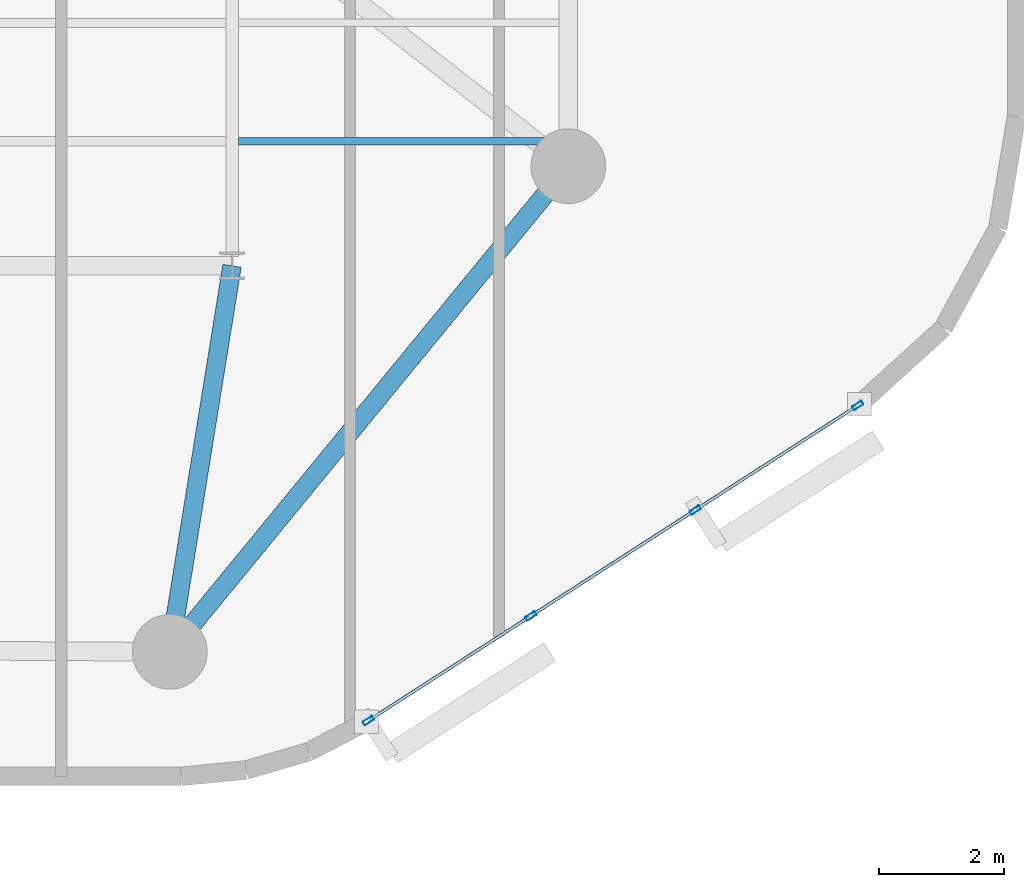
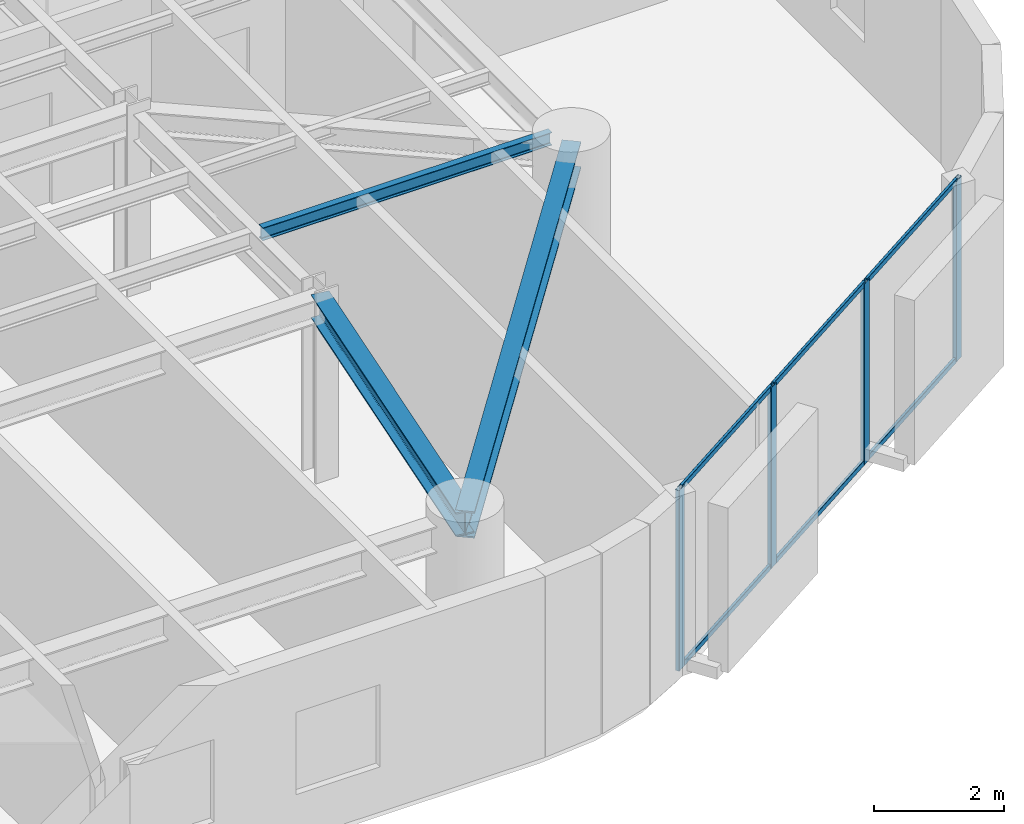
# One storey, part 2 of 13: 10 members, 3 beams, 1 element without a shape of its own.
"""IFC4 building model written with IfcOpenShell, lengths in metres."""

from ifc_helpers import new_model, si_unit, direction, frame, origin, origin_2d, place, context, subcontext, project, spatial, hollow_rectangle, i_section, extrude, material, layer, layer_set, material_profile, profile_set, type_object, element, aggregate, save


model = new_model("IFC4")

# Units and contexts
model_context = context("Model", 3, precision=1e-05, world=origin(), true_north=direction((0.0, 1.0)))
body_context = subcontext(model_context, "Body", "Model", "MODEL_VIEW")
ifc_project = project(units=[si_unit("LENGTHUNIT", "METRE"), si_unit("AREAUNIT", "SQUARE_METRE"), si_unit("VOLUMEUNIT", "CUBIC_METRE"), si_unit("PLANEANGLEUNIT", "RADIAN"), si_unit("MASSUNIT", "GRAM", prefix="KILO")], contexts=[model_context])

# Site, building, storey
site_placement = place(None, origin())
site = spatial("IfcSite", under=ifc_project, at=site_placement, CompositionType="ELEMENT")
building_placement = place(site_placement, origin())
building = spatial("IfcBuilding", under=site, at=building_placement, Name="An Khanh Terracotta Commons", CompositionType="ELEMENT")
storey_placement = place(building_placement, frame((0.0, 0.0, 183.39990234375)))
storey = spatial("IfcBuildingStorey", under=building, at=storey_placement, Name="L48", CompositionType="ELEMENT", Elevation=183.39990234375)

# Beams
ifc_material_1 = material(Name="Steel S355J2", Category="steel")
ifc_material_profile_1 = material_profile(ifc_material_1, i_section(OverallWidth=0.300048828125, OverallDepth=0.449951171875, WebThickness=0.013916015625, FlangeThickness=0.02587890625, FilletRadius=0.027099609375, at=origin_2d()), Name="HEB450")
ifc_profile_set_1 = profile_set([ifc_material_profile_1], Name="Steel S355J2")
beam_type_1 = type_object("IfcBeamType", Name="BM-HEB450", PredefinedType="BEAM", material=ifc_profile_set_1)
beam_1_placement = place(storey_placement, frame((49.39990234375, 8.199951171875, 3.175048828125), z_axis=(0.159233661074, 0.987240923575, 0.0), x_axis=(-0.987240923575, 0.159233661074, 0.0)))
element("IfcBeam", 1, at=beam_1_placement, inside=storey, type_object=beam_type_1, Name="L48 Mega-Column Tie Girder 2", PredefinedType="BEAM", context=body_context, shape_type="SweptSolid", body=[
    extrude(i_section(OverallWidth=0.300048828125, OverallDepth=0.449951171875, WebThickness=0.013916015625, FlangeThickness=0.02587890625, FilletRadius=0.027099609375, at=origin_2d()), origin(), (0.0, 0.0, 1.0), 6.280029296875),
])
ifc_material_profile_2 = material_profile(ifc_material_1, i_section(OverallWidth=0.300048828125, OverallDepth=0.5, WebThickness=0.014404296875, FlangeThickness=0.028076171875, FilletRadius=0.027099609375, at=origin_2d()), Name="HEB500")
ifc_profile_set_2 = profile_set([ifc_material_profile_2], Name="Steel S355J2")
beam_type_2 = type_object("IfcBeamType", Name="BM-HEB500", PredefinedType="BEAM", material=ifc_profile_set_2)
beam_2_placement = place(storey_placement, frame((49.39990234375, 8.199951171875, 3.150146484375), z_axis=(0.634322915223, 0.7730681983, 0.0), x_axis=(-0.7730681983, 0.634322915223, 0.0)))
element("IfcBeam", 2, at=beam_2_placement, inside=storey, type_object=beam_type_2, Name="L48 Perimeter Ring Spandrel 2", PredefinedType="BEAM", context=body_context, shape_type="SweptSolid", body=[
    extrude(i_section(OverallWidth=0.300048828125, OverallDepth=0.5, WebThickness=0.014404296875, FlangeThickness=0.028076171875, FilletRadius=0.027099609375, at=origin_2d()), origin(), (0.0, 0.0, 1.0), 10.08984375),
])
ifc_material_profile_3 = material_profile(ifc_material_1, i_section(OverallWidth=0.1201171875, OverallDepth=0.239990234375, WebThickness=0.006103515625, FlangeThickness=0.009765625, FilletRadius=0.014892578125, at=origin_2d()), Name="IPE240")
ifc_profile_set_3 = profile_set([ifc_material_profile_3], Name="Steel S355J2")
beam_type_3 = type_object("IfcBeamType", Name="BM-IPE240", PredefinedType="JOIST", material=ifc_profile_set_3)
beam_3_placement = place(storey_placement, frame((50.5, 16.39990234375, 3.280029296875), z_axis=(1.0, 0.0, 0.0), x_axis=(0.0, 1.0, 0.0)))
element("IfcBeam", 3, at=beam_3_placement, inside=storey, type_object=beam_type_3, Name="L48 Riverfront Composite Joist 1", PredefinedType="JOIST", context=body_context, shape_type="SweptSolid", body=[
    extrude(i_section(OverallWidth=0.1201171875, OverallDepth=0.239990234375, WebThickness=0.006103515625, FlangeThickness=0.009765625, FilletRadius=0.014892578125, at=origin_2d()), origin(), (0.0, 0.0, 1.0), 5.14990234375),
])

# Curtain wall, members
ifc_material_2 = material(Name="Anodised Aluminium 6063-T6", Category="aluminium")
ifc_layer = layer(ifc_material_2, 0.2099609375, Name="Anodised Aluminium 6063-T6")
ifc_layer_set = layer_set([ifc_layer], Name="Anodised Aluminium 6063-T6")
curtain_wall_type = type_object("IfcCurtainWallType", Name="CW-SYS-03", PredefinedType="USERDEFINED", material=ifc_layer_set)
curtain_wall_placement = place(storey_placement, origin())
curtain_wall = element("IfcCurtainWall", 4, at=curtain_wall_placement, inside=storey, type_object=curtain_wall_type, Name="L48 CW-03 Unitised Curtain Wall CW-L48-08", ObjectType="UNITISED CURTAIN WALL", PredefinedType="USERDEFINED")
ifc_material_profile_4 = material_profile(ifc_material_2, hollow_rectangle(XDim=0.070068359375, YDim=0.179931640625, WallThickness=0.00390625, InnerFilletRadius=0.00390625, OuterFilletRadius=0.008056640625, at=origin_2d()), Name="RHS180x70x4")
ifc_profile_set_4 = profile_set([ifc_material_profile_4], Name="Anodised Aluminium 6063-T6")
member_type_1 = type_object("IfcMemberType", Name="CWM-RHS180x70x4", PredefinedType="MULLION", material=ifc_profile_set_4)
member_1_placement = place(storey_placement, frame((52.58935546875, 7.094970703125, 0.0), z_axis=(0.0, 0.0, 1.0), x_axis=(-0.541497931062, 0.840702081986, 0.0)))
member_1 = element("IfcMember", 5, at=member_1_placement, type_object=member_type_1, Name="CW-03 mullion 1", PredefinedType="MULLION", context=body_context, shape_type="SweptSolid", body=[
    extrude(hollow_rectangle(XDim=0.070068359375, YDim=0.179931640625, WallThickness=0.00390625, InnerFilletRadius=0.00390625, OuterFilletRadius=0.008056640625, at=origin_2d()), origin(), (0.0, 0.0, 1.0), 3.400146484375),
])
member_2_placement = place(storey_placement, frame((55.19921875, 8.77587890625, 0.0), z_axis=(0.0, 0.0, 1.0), x_axis=(-0.541497931062, 0.840702081986, 0.0)))
member_2 = element("IfcMember", 6, at=member_2_placement, type_object=member_type_1, Name="CW-03 mullion 2", PredefinedType="MULLION", context=body_context, shape_type="SweptSolid", body=[
    extrude(hollow_rectangle(XDim=0.070068359375, YDim=0.179931640625, WallThickness=0.00390625, InnerFilletRadius=0.00390625, OuterFilletRadius=0.008056640625, at=origin_2d()), origin(), (0.0, 0.0, 1.0), 3.400146484375),
])
member_3_placement = place(storey_placement, frame((57.838623046875, 10.47607421875, 0.0), z_axis=(0.0, 0.0, 1.0), x_axis=(-0.541497931062, 0.840702081986, 0.0)))
member_3 = element("IfcMember", 7, at=member_3_placement, type_object=member_type_1, Name="CW-03 mullion 3", PredefinedType="MULLION", context=body_context, shape_type="SweptSolid", body=[
    extrude(hollow_rectangle(XDim=0.070068359375, YDim=0.179931640625, WallThickness=0.00390625, InnerFilletRadius=0.00390625, OuterFilletRadius=0.008056640625, at=origin_2d()), origin(), (0.0, 0.0, 1.0), 3.400146484375),
])
member_4_placement = place(storey_placement, frame((60.448486328125, 12.156982421875, 0.0), z_axis=(0.0, 0.0, 1.0), x_axis=(-0.541497931062, 0.840702081986, 0.0)))
member_4 = element("IfcMember", 8, at=member_4_placement, type_object=member_type_1, Name="CW-03 mullion 4", PredefinedType="MULLION", context=body_context, shape_type="SweptSolid", body=[
    extrude(hollow_rectangle(XDim=0.070068359375, YDim=0.179931640625, WallThickness=0.00390625, InnerFilletRadius=0.00390625, OuterFilletRadius=0.008056640625, at=origin_2d()), origin(), (0.0, 0.0, 1.0), 3.400146484375),
])
ifc_material_profile_5 = material_profile(ifc_material_2, hollow_rectangle(XDim=0.050048828125, YDim=0.10009765625, WallThickness=0.003173828125, InnerFilletRadius=0.003173828125, OuterFilletRadius=0.00634765625, at=origin_2d()), Name="RHS100x50x3.2")
ifc_profile_set_5 = profile_set([ifc_material_profile_5], Name="Anodised Aluminium 6063-T6")
member_type_2 = type_object("IfcMemberType", Name="CWT-RHS100x50x3.2", PredefinedType="USERDEFINED", material=ifc_profile_set_5)
member_5_placement = place(storey_placement, frame((52.618896484375, 7.114013671875, 0.025146484375), z_axis=(0.840710223453, 0.541485290826, 0.0), x_axis=(-0.541485290826, 0.840710223453, 0.0)))
member_5 = element("IfcMember", 9, at=member_5_placement, type_object=member_type_2, Name="CW-03 transom 1.1", ObjectType="TRANSOM", PredefinedType="USERDEFINED", context=body_context, shape_type="SweptSolid", body=[
    extrude(hollow_rectangle(XDim=0.050048828125, YDim=0.10009765625, WallThickness=0.003173828125, InnerFilletRadius=0.003173828125, OuterFilletRadius=0.00634765625, at=origin_2d()), origin(), (0.0, 0.0, 1.0), 3.034423828125),
])
member_6_placement = place(storey_placement, frame((52.618896484375, 7.114013671875, 3.375), z_axis=(0.840710223453, 0.541485290826, 0.0), x_axis=(-0.541485290826, 0.840710223453, 0.0)))
member_6 = element("IfcMember", 10, at=member_6_placement, type_object=member_type_2, Name="CW-03 transom 1.2", ObjectType="TRANSOM", PredefinedType="USERDEFINED", context=body_context, shape_type="SweptSolid", body=[
    extrude(hollow_rectangle(XDim=0.050048828125, YDim=0.10009765625, WallThickness=0.003173828125, InnerFilletRadius=0.003173828125, OuterFilletRadius=0.00634765625, at=origin_2d()), origin(), (0.0, 0.0, 1.0), 3.034423828125),
])
member_7_placement = place(storey_placement, frame((55.228759765625, 8.794921875, 0.025146484375), z_axis=(0.840707825526, 0.54148901383, 0.0), x_axis=(-0.54148901383, 0.840707825526, 0.0)))
member_7 = element("IfcMember", 11, at=member_7_placement, type_object=member_type_2, Name="CW-03 transom 2.1", ObjectType="TRANSOM", PredefinedType="USERDEFINED", context=body_context, shape_type="SweptSolid", body=[
    extrude(hollow_rectangle(XDim=0.050048828125, YDim=0.10009765625, WallThickness=0.003173828125, InnerFilletRadius=0.003173828125, OuterFilletRadius=0.00634765625, at=origin_2d()), origin(), (0.0, 0.0, 1.0), 3.069580078125),
])
member_8_placement = place(storey_placement, frame((55.228759765625, 8.794921875, 3.375), z_axis=(0.840707825526, 0.54148901383, 0.0), x_axis=(-0.54148901383, 0.840707825526, 0.0)))
member_8 = element("IfcMember", 12, at=member_8_placement, type_object=member_type_2, Name="CW-03 transom 2.2", ObjectType="TRANSOM", PredefinedType="USERDEFINED", context=body_context, shape_type="SweptSolid", body=[
    extrude(hollow_rectangle(XDim=0.050048828125, YDim=0.10009765625, WallThickness=0.003173828125, InnerFilletRadius=0.003173828125, OuterFilletRadius=0.00634765625, at=origin_2d()), origin(), (0.0, 0.0, 1.0), 3.069580078125),
])
member_9_placement = place(storey_placement, frame((57.8681640625, 10.494873046875, 0.025146484375), z_axis=(0.840673595852, 0.541542154626, 0.0), x_axis=(-0.541542154626, 0.840673595852, 0.0)))
member_9 = element("IfcMember", 13, at=member_9_placement, type_object=member_type_2, Name="CW-03 transom 3.1", ObjectType="TRANSOM", PredefinedType="USERDEFINED", context=body_context, shape_type="SweptSolid", body=[
    extrude(hollow_rectangle(XDim=0.050048828125, YDim=0.10009765625, WallThickness=0.003173828125, InnerFilletRadius=0.003173828125, OuterFilletRadius=0.00634765625, at=origin_2d()), origin(), (0.0, 0.0, 1.0), 3.034423828125),
])
member_10_placement = place(storey_placement, frame((57.8681640625, 10.494873046875, 3.375), z_axis=(0.840673595852, 0.541542154626, 0.0), x_axis=(-0.541542154626, 0.840673595852, 0.0)))
member_10 = element("IfcMember", 14, at=member_10_placement, type_object=member_type_2, Name="CW-03 transom 3.2", ObjectType="TRANSOM", PredefinedType="USERDEFINED", context=body_context, shape_type="SweptSolid", body=[
    extrude(hollow_rectangle(XDim=0.050048828125, YDim=0.10009765625, WallThickness=0.003173828125, InnerFilletRadius=0.003173828125, OuterFilletRadius=0.00634765625, at=origin_2d()), origin(), (0.0, 0.0, 1.0), 3.034423828125),
])
aggregate(curtain_wall, [member_1, member_2, member_3, member_4, member_5, member_6, member_7, member_8, member_9, member_10])

save(model, "model.ifc")
